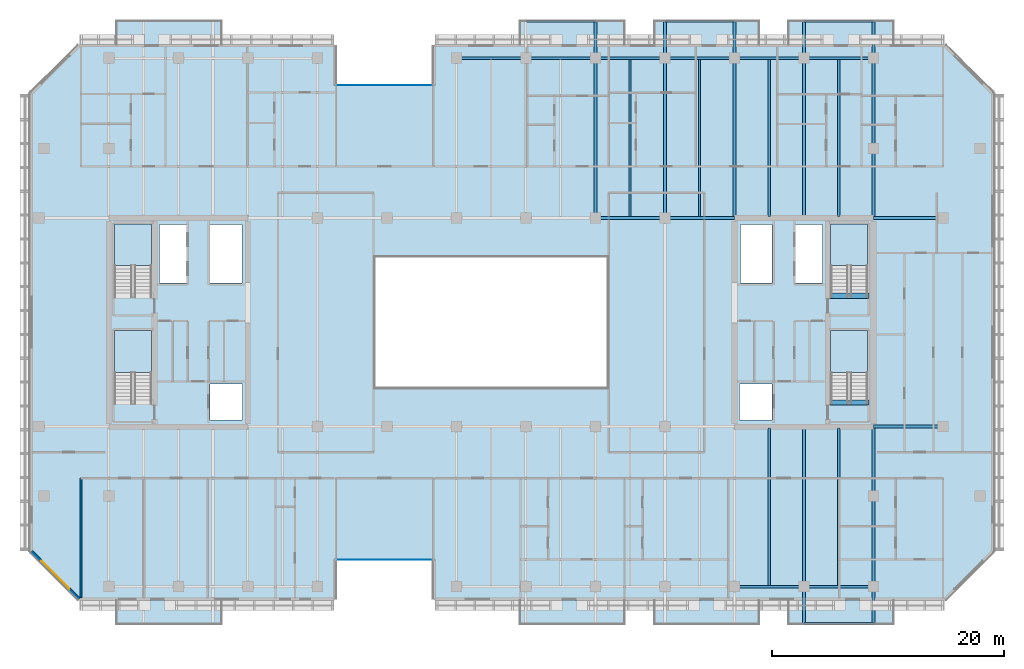
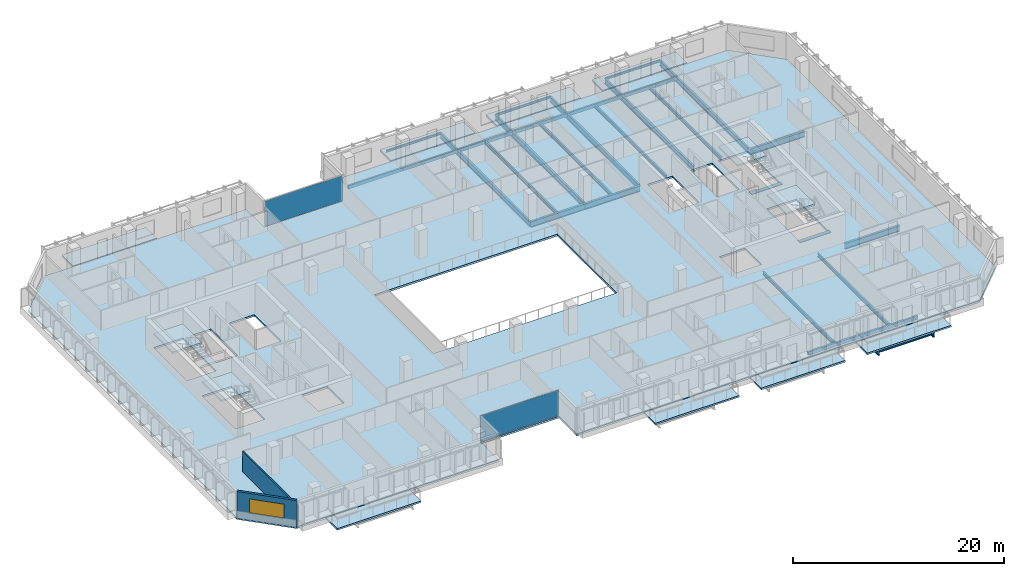
# One storey, part 9 of 23: 31 beams, 13 slabs, 2 plates, 2 walls, 1 window, 1 opening, 6 elements without a shape of their own.
"""IFC4 building model written with IfcOpenShell, lengths in metres."""

from ifc_helpers import new_model, si_unit, direction, frame, frame_2d, origin, origin_2d, place, context, subcontext, project, spatial, polyline, rectangle, hollow_rectangle, i_section, outline, extrude, material, layer, layer_set, material_profile, profile_set, type_object, element, fill, aggregate, save


model = new_model("IFC4")

# Units and contexts
model_context = context("Model", 3, precision=1e-05, world=origin(), true_north=direction((0.0, 1.0)))
body_context = subcontext(model_context, "Body", "Model", "MODEL_VIEW")
ifc_project = project(units=[si_unit("LENGTHUNIT", "METRE"), si_unit("AREAUNIT", "SQUARE_METRE"), si_unit("VOLUMEUNIT", "CUBIC_METRE"), si_unit("PLANEANGLEUNIT", "RADIAN"), si_unit("MASSUNIT", "GRAM", prefix="KILO")], contexts=[model_context])

# Site, building, storey
site_placement = place(None, origin())
site = spatial("IfcSite", under=ifc_project, at=site_placement, CompositionType="ELEMENT")
building_placement = place(site_placement, origin())
building = spatial("IfcBuilding", under=site, at=building_placement, Name="Tanjung Sevakor Pilgrim Tower", CompositionType="ELEMENT")
storey_placement = place(building_placement, frame((0.0, 0.0, 105.27001953125)))
storey = spatial("IfcBuildingStorey", under=building, at=storey_placement, Name="L29", CompositionType="ELEMENT", Elevation=105.27001953125)

# Beams
ifc_material_1 = material(Name="Steel S355J2", Category="steel")
ifc_material_profile_1 = material_profile(ifc_material_1, i_section(OverallWidth=0.25439453125, OverallDepth=0.6875, WebThickness=0.01318359375, FlangeThickness=0.02099609375, FilletRadius=0.01513671875, at=origin_2d()))
ifc_profile_set_1 = profile_set([ifc_material_profile_1], Name="Steel S355J2")
beam_type_1 = type_object("IfcBeamType", Name="BM-B-G2-UB_686x254x152", PredefinedType="BEAM", material=ifc_profile_set_1)
for number, where, z_axis, x_axis, name in (
    (1, (90.0, 24.60009765625, -0.563720703125), (1.0, 0.0, 0.0), (0.0, 1.0, 0.0), "L29 Primary Floor Girder MAIN Y246-09"),
    (2, (66.0, 42.60009765625, -0.563720703125), (1.0, 0.0, 0.0), (0.0, 1.0, 0.0), "L29 Primary Floor Girder MAIN Y426-07"),
    (3, (72.0, 42.60009765625, -0.563720703125), (1.0, 0.0, 0.0), (0.0, 1.0, 0.0), "L29 Primary Floor Girder MAIN Y426-08"),
    (4, (90.0, 42.60009765625, -0.563720703125), (1.0, 0.0, 0.0), (0.0, 1.0, 0.0), "L29 Primary Floor Girder MAIN Y426-09"),
):
    element("IfcBeam", number, at=place(storey_placement, frame(where, z_axis=z_axis, x_axis=x_axis)), inside=storey, type_object=beam_type_1, Name=name, PredefinedType="BEAM", context=body_context, shape_type="SweptSolid", body=[
        extrude(i_section(OverallWidth=0.25439453125, OverallDepth=0.6875, WebThickness=0.01318359375, FlangeThickness=0.02099609375, FilletRadius=0.01513671875, at=origin_2d()), origin(), (0.0, 0.0, 1.0), 6.0),
    ])
ifc_material_2 = material(Name="Steel S355J2", Category="steel")
ifc_material_profile_2 = material_profile(ifc_material_2, i_section(OverallWidth=0.230224609375, OverallDepth=0.6171875, WebThickness=0.01318359375, FlangeThickness=0.022216796875, FilletRadius=0.0126953125, at=origin_2d()))
ifc_profile_set_2 = profile_set([ifc_material_profile_2], Name="Steel S355J2")
beam_type_2 = type_object("IfcBeamType", Name="BM-B-G3-UB_610x229x140", PredefinedType="BEAM", material=ifc_profile_set_2)
for number, where, z_axis, x_axis, name in (
    (5, (66.0, 42.60009765625, -0.528564453125), (0.0, 1.0, 0.0), (-1.0, 0.0, 0.0), "L29 Balcony Cantilever Beam MAIN-N2-2"),
    (6, (72.0, 42.60009765625, -0.528564453125), (0.0, 1.0, 0.0), (-1.0, 0.0, 0.0), "L29 Balcony Cantilever Beam MAIN-N3-1"),
):
    element("IfcBeam", number, at=place(storey_placement, frame(where, z_axis=z_axis, x_axis=x_axis)), inside=storey, type_object=beam_type_2, Name=name, PredefinedType="BEAM", context=body_context, shape_type="SweptSolid", body=[
        extrude(i_section(OverallWidth=0.230224609375, OverallDepth=0.6171875, WebThickness=0.01318359375, FlangeThickness=0.022216796875, FilletRadius=0.0126953125, at=origin_2d()), origin(), (0.0, 0.0, 1.0), 16.97998046875),
    ])
beam_1_placement = place(storey_placement, frame((78.0, 42.727294921875, -0.528564453125), z_axis=(0.0, 1.0, 0.0), x_axis=(-1.0, 0.0, 0.0)))
element("IfcBeam", 7, at=beam_1_placement, inside=storey, type_object=beam_type_2, Name="L29 Balcony Cantilever Beam MAIN-N3-2", PredefinedType="BEAM", context=body_context, shape_type="SweptSolid", body=[
    extrude(i_section(OverallWidth=0.230224609375, OverallDepth=0.6171875, WebThickness=0.01318359375, FlangeThickness=0.022216796875, FilletRadius=0.0126953125, at=origin_2d()), origin(), (0.0, 0.0, 1.0), 16.852783203125),
])
beam_2_placement = place(storey_placement, frame((84.0, 24.47265625, -0.528564453125), z_axis=(0.0, -1.0, 0.0), x_axis=(1.0, 0.0, 0.0)))
element("IfcBeam", 8, at=beam_2_placement, inside=storey, type_object=beam_type_2, Name="L29 Balcony Cantilever Beam MAIN-S4-1", PredefinedType="BEAM", context=body_context, shape_type="SweptSolid", body=[
    extrude(i_section(OverallWidth=0.230224609375, OverallDepth=0.6171875, WebThickness=0.01318359375, FlangeThickness=0.022216796875, FilletRadius=0.0126953125, at=origin_2d()), origin(), (0.0, 0.0, 1.0), 16.8525390625),
])
beam_3_placement = place(storey_placement, frame((84.0, 42.727294921875, -0.528564453125), z_axis=(0.0, 1.0, 0.0), x_axis=(-1.0, 0.0, 0.0)))
element("IfcBeam", 9, at=beam_3_placement, inside=storey, type_object=beam_type_2, Name="L29 Balcony Cantilever Beam MAIN-N4-1", PredefinedType="BEAM", context=body_context, shape_type="SweptSolid", body=[
    extrude(i_section(OverallWidth=0.230224609375, OverallDepth=0.6171875, WebThickness=0.01318359375, FlangeThickness=0.022216796875, FilletRadius=0.0126953125, at=origin_2d()), origin(), (0.0, 0.0, 1.0), 16.852783203125),
])
beam_4_placement = place(storey_placement, frame((90.0, 24.47265625, -0.528564453125), z_axis=(0.0, -1.0, 0.0), x_axis=(1.0, 0.0, 0.0)))
element("IfcBeam", 10, at=beam_4_placement, inside=storey, type_object=beam_type_2, Name="L29 Balcony Cantilever Beam MAIN-S4-2", PredefinedType="BEAM", context=body_context, shape_type="SweptSolid", body=[
    extrude(i_section(OverallWidth=0.230224609375, OverallDepth=0.6171875, WebThickness=0.01318359375, FlangeThickness=0.022216796875, FilletRadius=0.0126953125, at=origin_2d()), origin(), (0.0, 0.0, 1.0), 16.8525390625),
])
beam_5_placement = place(storey_placement, frame((90.0, 42.727294921875, -0.528564453125), z_axis=(0.0, 1.0, 0.0), x_axis=(-1.0, 0.0, 0.0)))
element("IfcBeam", 11, at=beam_5_placement, inside=storey, type_object=beam_type_2, Name="L29 Balcony Cantilever Beam MAIN-N4-2", PredefinedType="BEAM", context=body_context, shape_type="SweptSolid", body=[
    extrude(i_section(OverallWidth=0.230224609375, OverallDepth=0.6171875, WebThickness=0.01318359375, FlangeThickness=0.022216796875, FilletRadius=0.0126953125, at=origin_2d()), origin(), (0.0, 0.0, 1.0), 16.852783203125),
])
ifc_material_3 = material(Name="Steel S355J2", Category="steel")
ifc_material_profile_3 = material_profile(ifc_material_3, i_section(OverallWidth=0.1787109375, OverallDepth=0.409423828125, WebThickness=0.0087890625, FlangeThickness=0.014404296875, FilletRadius=0.01025390625, at=origin_2d()))
ifc_profile_set_3 = profile_set([ifc_material_profile_3], Name="Steel S355J2")
beam_type_3 = type_object("IfcBeamType", Name="BM-B-J3-UB_406x178x67", PredefinedType="JOIST", material=ifc_profile_set_3)
for number, where, z_axis, x_axis, name in (
    (12, (69.0, 42.727294921875, -0.4248046875), (0.0, 1.0, 0.0), (-1.0, 0.0, 0.0), "L29 MAIN Joist 019"),
    (13, (75.0, 42.727294921875, -0.4248046875), (0.0, 1.0, 0.0), (-1.0, 0.0, 0.0), "L29 MAIN Joist 022"),
    (14, (81.0, 10.89990234375, -0.4248046875), (0.0, 1.0, 0.0), (-1.0, 0.0, 0.0), "L29 MAIN Joist 023"),
    (15, (81.0, 42.727294921875, -0.4248046875), (0.0, 1.0, 0.0), (-1.0, 0.0, 0.0), "L29 MAIN Joist 024"),
    (16, (87.0, 10.89990234375, -0.4248046875), (0.0, 1.0, 0.0), (-1.0, 0.0, 0.0), "L29 MAIN Joist 025"),
    (17, (87.0, 42.727294921875, -0.4248046875), (0.0, 1.0, 0.0), (-1.0, 0.0, 0.0), "L29 MAIN Joist 026"),
):
    element("IfcBeam", number, at=place(storey_placement, frame(where, z_axis=z_axis, x_axis=x_axis)), inside=storey, type_object=beam_type_3, Name=name, PredefinedType="JOIST", context=body_context, shape_type="SweptSolid", body=[
        extrude(i_section(OverallWidth=0.1787109375, OverallDepth=0.409423828125, WebThickness=0.0087890625, FlangeThickness=0.014404296875, FilletRadius=0.01025390625, at=origin_2d()), origin(), (0.0, 0.0, 1.0), 13.57275390625),
    ])
ifc_material_4 = material(Name="Steel S355J2", Category="steel")
ifc_material_profile_4 = material_profile(ifc_material_4, i_section(OverallWidth=0.146484375, OverallDepth=0.256103515625, WebThickness=0.00634765625, FlangeThickness=0.010986328125, FilletRadius=0.007568359375, at=origin_2d()))
ifc_profile_set_4 = profile_set([ifc_material_profile_4], Name="Steel S355J2")
beam_type_4 = type_object("IfcBeamType", Name="BM-B-J6-UB_254x146x37", PredefinedType="JOIST", material=ifc_profile_set_4)
for number, where, z_axis, x_axis, name in (
    (18, (60.0, 59.580078125, -0.328125), (1.0, 0.0, 0.0), (0.0, 1.0, 0.0), "L29 Balcony Rim Tie MAIN-N2"),
    (19, (72.0, 59.580078125, -0.328125), (1.0, 0.0, 0.0), (0.0, 1.0, 0.0), "L29 Balcony Rim Tie MAIN-N3"),
    (20, (84.0, 7.6201171875, -0.328125), (1.0, 0.0, 0.0), (0.0, 1.0, 0.0), "L29 Balcony Rim Tie MAIN-S4"),
    (21, (84.0, 59.580078125, -0.328125), (1.0, 0.0, 0.0), (0.0, 1.0, 0.0), "L29 Balcony Rim Tie MAIN-N4"),
):
    element("IfcBeam", number, at=place(storey_placement, frame(where, z_axis=z_axis, x_axis=x_axis)), inside=storey, type_object=beam_type_4, Name=name, PredefinedType="JOIST", context=body_context, shape_type="SweptSolid", body=[
        extrude(i_section(OverallWidth=0.146484375, OverallDepth=0.256103515625, WebThickness=0.00634765625, FlangeThickness=0.010986328125, FilletRadius=0.007568359375, at=origin_2d()), origin(), (0.0, 0.0, 1.0), 6.0),
    ])
ifc_material_5 = material(Name="Concrete C60/75", Category="concrete")
ifc_material_profile_5 = material_profile(ifc_material_5, rectangle(XDim=0.449951171875, YDim=0.699951171875, at=origin_2d()))
ifc_profile_set_5 = profile_set([ifc_material_profile_5], Name="Concrete C60/75")
beam_type_5 = type_object("IfcBeamType", Name="BM-B-LN3-RC-BM_450x700", PredefinedType="LINTEL", material=ifc_profile_set_5)
for number, where, z_axis, x_axis, name in (
    (22, (86.199951171875, 26.699951171875, -0.35009765625), (1.0, 0.0, 0.0), (0.0, 1.0, 0.0), "L29 TS-E1 Stair Threshold Beam"),
    (23, (86.199951171875, 35.89990234375, -0.35009765625), (1.0, 0.0, 0.0), (0.0, 1.0, 0.0), "L29 TS-E2 Stair Threshold Beam"),
):
    element("IfcBeam", number, at=place(storey_placement, frame(where, z_axis=z_axis, x_axis=x_axis)), inside=storey, type_object=beam_type_5, Name=name, PredefinedType="LINTEL", context=body_context, shape_type="SweptSolid", body=[
        extrude(rectangle(XDim=0.449951171875, YDim=0.699951171875, at=origin_2d()), origin(), (0.0, 0.0, 1.0), 3.400146484375),
    ])
ifc_material_6 = material(Name="Steel S355J2", Category="steel")
ifc_material_profile_6 = material_profile(ifc_material_6, hollow_rectangle(XDim=0.199951171875, YDim=0.39990234375, WallThickness=0.01611328125, at=origin_2d()))
ifc_profile_set_6 = profile_set([ifc_material_profile_6], Name="Steel S355J2")
beam_type_6 = type_object("IfcBeamType", Name="BM-B-SP2-RHS_400x200x16", PredefinedType="SPANDREL", material=ifc_profile_set_6)
for number, where, z_axis, x_axis, name in (
    (24, (54.0, 56.39990234375, -0.419921875), (1.0, 0.0, 0.0), (0.0, 1.0, 0.0), "L29 Spandrel MAIN N-08"),
    (25, (60.0, 56.39990234375, -0.419921875), (1.0, 0.0, 0.0), (0.0, 1.0, 0.0), "L29 Spandrel MAIN N-10"),
    (26, (66.0, 56.39990234375, -0.419921875), (1.0, 0.0, 0.0), (0.0, 1.0, 0.0), "L29 Spandrel MAIN N-12"),
    (27, (72.0, 56.39990234375, -0.419921875), (1.0, 0.0, 0.0), (0.0, 1.0, 0.0), "L29 Spandrel MAIN N-14"),
    (28, (78.0, 10.800048828125, -0.419921875), (1.0, 0.0, 0.0), (0.0, 1.0, 0.0), "L29 Spandrel MAIN S-15"),
    (29, (78.0, 56.39990234375, -0.419921875), (1.0, 0.0, 0.0), (0.0, 1.0, 0.0), "L29 Spandrel MAIN N-16"),
    (30, (84.0, 10.800048828125, -0.419921875), (1.0, 0.0, 0.0), (0.0, 1.0, 0.0), "L29 Spandrel MAIN S-17"),
    (31, (84.0, 56.39990234375, -0.419921875), (1.0, 0.0, 0.0), (0.0, 1.0, 0.0), "L29 Spandrel MAIN N-18"),
):
    element("IfcBeam", number, at=place(storey_placement, frame(where, z_axis=z_axis, x_axis=x_axis)), inside=storey, type_object=beam_type_6, Name=name, PredefinedType="SPANDREL", context=body_context, shape_type="SweptSolid", body=[
        extrude(hollow_rectangle(XDim=0.199951171875, YDim=0.39990234375, WallThickness=0.01611328125, at=origin_2d()), origin(), (0.0, 0.0, 1.0), 6.0),
    ])

# Slabs
ifc_material_7 = material(Name="Concrete C40/50", Category="concrete")
ifc_layer_1 = layer(ifc_material_7, 0.199951171875)
ifc_layer_set_1 = layer_set([ifc_layer_1], Name="SL-BAL-200")
slab_type_1 = type_object("IfcSlabType", Name="SL-BAL-200", PredefinedType="FLOOR", material=ifc_layer_set_1)
slab_1_placement = place(storey_placement, frame((0.0, 0.0, -0.199951171875)))
element("IfcSlab", 32, at=slab_1_placement, inside=storey, type_object=slab_type_1, Name="L29 Planted Loggia Balcony MAIN-S1", PredefinedType="FLOOR", context=body_context, shape_type="SweptSolid", body=[
    extrude(outline(polyline([(24.60009765625, 7.5), (33.800048828125, 7.5), (33.800048828125, 9.60009765625), (24.60009765625, 9.60009765625), (24.60009765625, 7.5)])), origin(), (0.0, 0.0, 1.0), 0.199951171875),
])
slab_2_placement = place(storey_placement, frame((0.0, 0.0, -0.199951171875)))
element("IfcSlab", 33, at=slab_2_placement, inside=storey, type_object=slab_type_1, Name="L29 Planted Loggia Balcony MAIN-N1", PredefinedType="FLOOR", context=body_context, shape_type="SweptSolid", body=[
    extrude(outline(polyline([(24.60009765625, 57.60009765625), (33.800048828125, 57.60009765625), (33.800048828125, 59.699951171875), (24.60009765625, 59.699951171875), (24.60009765625, 57.60009765625)])), origin(), (0.0, 0.0, 1.0), 0.199951171875),
])
slab_3_placement = place(storey_placement, frame((0.0, 0.0, -0.199951171875)))
element("IfcSlab", 34, at=slab_3_placement, inside=storey, type_object=slab_type_1, Name="L29 Planted Loggia Balcony MAIN-S2", PredefinedType="FLOOR", context=body_context, shape_type="SweptSolid", body=[
    extrude(outline(polyline([(59.39990234375, 7.5), (68.60009765625, 7.5), (68.60009765625, 9.60009765625), (59.39990234375, 9.60009765625), (59.39990234375, 7.5)])), origin(), (0.0, 0.0, 1.0), 0.199951171875),
])
slab_4_placement = place(storey_placement, frame((0.0, 0.0, -0.199951171875)))
element("IfcSlab", 35, at=slab_4_placement, inside=storey, type_object=slab_type_1, Name="L29 Planted Loggia Balcony MAIN-N2", PredefinedType="FLOOR", context=body_context, shape_type="SweptSolid", body=[
    extrude(outline(polyline([(59.39990234375, 57.60009765625), (68.60009765625, 57.60009765625), (68.60009765625, 59.699951171875), (59.39990234375, 59.699951171875), (59.39990234375, 57.60009765625)])), origin(), (0.0, 0.0, 1.0), 0.199951171875),
])
slab_5_placement = place(storey_placement, frame((0.0, 0.0, -0.199951171875)))
element("IfcSlab", 36, at=slab_5_placement, inside=storey, type_object=slab_type_1, Name="L29 Planted Loggia Balcony MAIN-S3", PredefinedType="FLOOR", context=body_context, shape_type="SweptSolid", body=[
    extrude(outline(polyline([(71.0, 7.5), (80.199951171875, 7.5), (80.199951171875, 9.60009765625), (71.0, 9.60009765625), (71.0, 7.5)])), origin(), (0.0, 0.0, 1.0), 0.199951171875),
])
slab_6_placement = place(storey_placement, frame((0.0, 0.0, -0.199951171875)))
element("IfcSlab", 37, at=slab_6_placement, inside=storey, type_object=slab_type_1, Name="L29 Planted Loggia Balcony MAIN-N3", PredefinedType="FLOOR", context=body_context, shape_type="SweptSolid", body=[
    extrude(outline(polyline([(71.0, 57.60009765625), (80.199951171875, 57.60009765625), (80.199951171875, 59.699951171875), (71.0, 59.699951171875), (71.0, 57.60009765625)])), origin(), (0.0, 0.0, 1.0), 0.199951171875),
])
slab_7_placement = place(storey_placement, frame((0.0, 0.0, -0.199951171875)))
element("IfcSlab", 38, at=slab_7_placement, inside=storey, type_object=slab_type_1, Name="L29 Planted Loggia Balcony MAIN-S4", PredefinedType="FLOOR", context=body_context, shape_type="SweptSolid", body=[
    extrude(outline(polyline([(82.60009765625, 7.5), (91.800048828125, 7.5), (91.800048828125, 9.60009765625), (82.60009765625, 9.60009765625), (82.60009765625, 7.5)])), origin(), (0.0, 0.0, 1.0), 0.199951171875),
])
slab_8_placement = place(storey_placement, frame((0.0, 0.0, -0.199951171875)))
element("IfcSlab", 39, at=slab_8_placement, inside=storey, type_object=slab_type_1, Name="L29 Planted Loggia Balcony MAIN-N4", PredefinedType="FLOOR", context=body_context, shape_type="SweptSolid", body=[
    extrude(outline(polyline([(82.60009765625, 57.60009765625), (91.800048828125, 57.60009765625), (91.800048828125, 59.699951171875), (82.60009765625, 59.699951171875), (82.60009765625, 57.60009765625)])), origin(), (0.0, 0.0, 1.0), 0.199951171875),
])

# Stair, slab
ifc_material_8 = material(Name="Concrete C40/50", Category="concrete")
stair_type = type_object("IfcStairType", Name="STAIR-ST-CR150", PredefinedType="HALF_TURN_STAIR", material=ifc_material_8)
stair_1_placement = place(storey_placement, origin())
stair_1 = element("IfcStair", 40, at=stair_1_placement, inside=storey, type_object=stair_type, Name="L29 West Core Exit Stair 1", PredefinedType="HALF_TURN_STAIR")
ifc_material_9 = material(Name="Concrete C40/50", Category="concrete")
ifc_layer_2 = layer(ifc_material_9, 0.199951171875)
ifc_layer_set_2 = layer_set([ifc_layer_2], Name="SL-LAND-200")
slab_type_2 = type_object("IfcSlabType", Name="SL-LAND-200", PredefinedType="LANDING", material=ifc_layer_set_2)
slab_9_placement = place(storey_placement, frame((0.0, 0.0, 1.449951171875)))
slab_9 = element("IfcSlab", 41, at=slab_9_placement, type_object=slab_type_2, Name="TS-W1 landing 1", PredefinedType="LANDING", context=body_context, shape_type="SweptSolid", body=[
    extrude(outline(polyline([(27.699951171875, 29.300048828125), (27.699951171875, 32.89990234375), (24.5, 32.89990234375), (24.5, 29.300048828125), (27.699951171875, 29.300048828125)])), origin(), (0.0, 0.0, 1.0), 0.199951171875),
])
aggregate(stair_1, [slab_9])

stair_2_placement = place(storey_placement, origin())
stair_2 = element("IfcStair", 42, at=stair_2_placement, inside=storey, type_object=stair_type, Name="L29 West Core Exit Stair 2", PredefinedType="HALF_TURN_STAIR")
slab_10_placement = place(storey_placement, frame((0.0, 0.0, 1.449951171875)))
slab_10 = element("IfcSlab", 43, at=slab_10_placement, type_object=slab_type_2, Name="TS-W2 landing 1", PredefinedType="LANDING", context=body_context, shape_type="SweptSolid", body=[
    extrude(outline(polyline([(27.699951171875, 38.5), (27.699951171875, 42.10009765625), (24.5, 42.10009765625), (24.5, 38.5), (27.699951171875, 38.5)])), origin(), (0.0, 0.0, 1.0), 0.199951171875),
])
aggregate(stair_2, [slab_10])

stair_3_placement = place(storey_placement, origin())
stair_3 = element("IfcStair", 44, at=stair_3_placement, inside=storey, type_object=stair_type, Name="L29 East Core Exit Stair 1", PredefinedType="HALF_TURN_STAIR")
slab_11_placement = place(storey_placement, frame((0.0, 0.0, 1.449951171875)))
slab_11 = element("IfcSlab", 45, at=slab_11_placement, type_object=slab_type_2, Name="TS-E1 landing 1", PredefinedType="LANDING", context=body_context, shape_type="SweptSolid", body=[
    extrude(outline(polyline([(89.5, 29.300048828125), (89.5, 32.89990234375), (86.300048828125, 32.89990234375), (86.300048828125, 29.300048828125), (89.5, 29.300048828125)])), origin(), (0.0, 0.0, 1.0), 0.199951171875),
])
aggregate(stair_3, [slab_11])

stair_4_placement = place(storey_placement, origin())
stair_4 = element("IfcStair", 46, at=stair_4_placement, inside=storey, type_object=stair_type, Name="L29 East Core Exit Stair 2", PredefinedType="HALF_TURN_STAIR")
slab_12_placement = place(storey_placement, frame((0.0, 0.0, 1.449951171875)))
slab_12 = element("IfcSlab", 47, at=slab_12_placement, type_object=slab_type_2, Name="TS-E2 landing 1", PredefinedType="LANDING", context=body_context, shape_type="SweptSolid", body=[
    extrude(outline(polyline([(89.5, 38.5), (89.5, 42.10009765625), (86.300048828125, 42.10009765625), (86.300048828125, 38.5), (89.5, 38.5)])), origin(), (0.0, 0.0, 1.0), 0.199951171875),
])
aggregate(stair_4, [slab_12])

# Slab
ifc_material_10 = material(Name="Concrete C40/50", Category="concrete")
ifc_layer_3 = layer(ifc_material_10, 0.219970703125)
ifc_layer_set_3 = layer_set([ifc_layer_3], Name="SL-TWR-220")
slab_type_3 = type_object("IfcSlabType", Name="SL-TWR-220", PredefinedType="FLOOR", material=ifc_layer_set_3)
slab_13_placement = place(storey_placement, frame((0.0, 0.0, -0.219970703125)))
element("IfcSlab", 48, at=slab_13_placement, inside=storey, type_object=slab_type_3, Name="L29 Floor Slab MAIN", PredefinedType="FLOOR", context=body_context, shape_type="SweptSolid", body=[
    extrude(outline(polyline([(21.447021484375, 9.679931640625), (43.52001953125, 9.679931640625), (43.52001953125, 13.080078125), (52.080078125, 13.080078125), (52.080078125, 9.679931640625), (96.153076171875, 9.679931640625), (100.320068359375, 13.846923828125), (100.320068359375, 53.35302734375), (96.153076171875, 57.52001953125), (52.080078125, 57.52001953125), (52.080078125, 54.1201171875), (43.52001953125, 54.1201171875), (43.52001953125, 57.52001953125), (21.447021484375, 57.52001953125), (17.280029296875, 53.35302734375), (17.280029296875, 13.846923828125), (21.447021484375, 9.679931640625)]), holes=[polyline([(27.699951171875, 26.60009765625), (27.699951171875, 32.89990234375), (24.5, 32.89990234375), (24.5, 26.60009765625), (27.699951171875, 26.60009765625)]), polyline([(27.699951171875, 35.800048828125), (27.699951171875, 42.10009765625), (24.5, 42.10009765625), (24.5, 35.800048828125), (27.699951171875, 35.800048828125)]), polyline([(89.5, 26.60009765625), (89.5, 32.89990234375), (86.300048828125, 32.89990234375), (86.300048828125, 26.60009765625), (89.5, 26.60009765625)]), polyline([(89.5, 35.800048828125), (89.5, 42.10009765625), (86.300048828125, 42.10009765625), (86.300048828125, 35.800048828125), (89.5, 35.800048828125)]), polyline([(32.75, 25.199951171875), (35.550048828125, 25.199951171875), (35.550048828125, 28.300048828125), (32.75, 28.300048828125), (32.75, 25.199951171875)]), polyline([(28.39990234375, 37.0), (30.75, 37.0), (30.75, 42.050048828125), (28.39990234375, 42.050048828125), (28.39990234375, 37.0)]), polyline([(32.75, 37.0), (35.5, 37.0), (35.5, 42.050048828125), (32.75, 42.050048828125), (32.75, 37.0)]), polyline([(78.449951171875, 25.199951171875), (81.25, 25.199951171875), (81.25, 28.300048828125), (78.449951171875, 28.300048828125), (78.449951171875, 25.199951171875)]), polyline([(83.25, 37.0), (85.60009765625, 37.0), (85.60009765625, 42.050048828125), (83.25, 42.050048828125), (83.25, 37.0)]), polyline([(78.5, 37.0), (81.25, 37.0), (81.25, 42.050048828125), (78.5, 42.050048828125), (78.5, 37.0)]), polyline([(47.0, 28.0), (67.0, 28.0), (67.0, 39.199951171875), (47.0, 39.199951171875), (47.0, 28.0)])]), origin(), (0.0, 0.0, 1.0), 0.219970703125),
])

# Curtain wall, plate
ifc_material_11 = material(Name="Aluminium 6063-T6 and Low-E Glass", Category="aluminium")
ifc_layer_4 = layer(ifc_material_11, 0.179931640625)
ifc_layer_set_4 = layer_set([ifc_layer_4], Name="CW-SYS-CLEFT")
curtain_wall_type = type_object("IfcCurtainWallType", Name="CW-SYS-CLEFT", PredefinedType="NOTDEFINED", material=ifc_layer_set_4)
curtain_wall_1_placement = place(storey_placement, origin())
curtain_wall_1 = element("IfcCurtainWall", 49, at=curtain_wall_1_placement, inside=storey, type_object=curtain_wall_type, Name="L29 Curtain Wall CW-CLF-L29-2", PredefinedType="NOTDEFINED")
ifc_material_12 = material(Name="Laminated Low-E Double Glazing", Category="glass")
ifc_layer_5 = layer(ifc_material_12, 0.028076171875)
ifc_layer_set_5 = layer_set([ifc_layer_5], Name="TYPE-CWP-GLZ1")
plate_type = type_object("IfcPlateType", Name="TYPE-CWP-GLZ1", PredefinedType="CURTAIN_PANEL", material=ifc_layer_set_5)
plate_1_placement = place(storey_placement, frame((47.800048828125, 13.125, 0.06494140625), z_axis=(0.0, 0.0, 1.0), x_axis=(1.0, 0.0, 0.0)))
plate_1 = element("IfcPlate", 50, at=plate_1_placement, type_object=plate_type, Name="CW-CLF panel 1.1", PredefinedType="CURTAIN_PANEL", context=body_context, shape_type="SweptSolid", body=[
    extrude(rectangle(XDim=8.5, YDim=0.028076171875, at=origin_2d()), origin(), (0.0, 0.0, 1.0), 2.949951171875),
])
aggregate(curtain_wall_1, [plate_1])

curtain_wall_2_placement = place(storey_placement, origin())
curtain_wall_2 = element("IfcCurtainWall", 51, at=curtain_wall_2_placement, inside=storey, type_object=curtain_wall_type, Name="L29 Curtain Wall CW-CLF-L29-10", PredefinedType="NOTDEFINED")
plate_2_placement = place(storey_placement, frame((47.800048828125, 54.074951171875, 0.06494140625), z_axis=(0.0, 0.0, 1.0), x_axis=(-1.0, 0.0, 0.0)))
plate_2 = element("IfcPlate", 52, at=plate_2_placement, type_object=plate_type, Name="CW-CLF panel 1.1", PredefinedType="CURTAIN_PANEL", context=body_context, shape_type="SweptSolid", body=[
    extrude(rectangle(XDim=8.5, YDim=0.028076171875, at=origin_2d()), origin(), (0.0, 0.0, 1.0), 2.949951171875),
])
aggregate(curtain_wall_2, [plate_2])

# Wall
ifc_material_13 = material(Name="Concrete C40/50", Category="concrete")
ifc_layer_6 = layer(ifc_material_13, 0.14990234375)
ifc_layer_set_6 = layer_set([ifc_layer_6], Name="WT-COMP-150")
wall_type_1 = type_object("IfcWallType", Name="WT-COMP-150", PredefinedType="SOLIDWALL", material=ifc_layer_set_6)
wall_1_placement = place(storey_placement, frame((21.60009765625, 9.85009765625, 0.0), z_axis=(0.0, 0.0, 1.0), x_axis=(0.0, 1.0, 0.0)))
element("IfcWall", 53, at=wall_1_placement, inside=storey, type_object=wall_type_1, Name="L29 Partition IW-L29-051", PredefinedType="SOLIDWALL", context=body_context, shape_type="SweptSolid", body=[
    extrude(rectangle(XDim=10.2998046875, YDim=0.14990234375, at=frame_2d((5.14990234375, 0.0))), origin(), (0.0, 0.0, 1.0), 2.35009765625),
])

# Wall, opening, window
ifc_material_14 = material(Name="Precast concrete C45/55", Category="concrete")
ifc_layer_7 = layer(ifc_material_14, 0.25)
ifc_layer_set_7 = layer_set([ifc_layer_7], Name="WT-EW-STN3")
wall_type_2 = type_object("IfcWallType", Name="WT-EW-STN3", PredefinedType="SOLIDWALL", material=ifc_layer_set_7)
wall_2_placement = place(storey_placement, frame((17.324951171875, 13.851806640625, 0.0), z_axis=(0.0, 0.0, 1.0), x_axis=(0.707127696864, -0.70708586489, 0.0)))
wall_2 = element("IfcWall", 54, at=wall_2_placement, inside=storey, type_object=wall_type_2, Name="L29 MAIN Sculpted Corner Wall 15", PredefinedType="SOLIDWALL", context=body_context, shape_type="SweptSolid", body=[
    extrude(rectangle(XDim=5.836181640625, YDim=0.25, at=frame_2d((2.91796875, 0.0))), origin(), (0.0, 0.0, 1.0), 3.080078125),
])
opening_placement = place(wall_2_placement, frame((1.218017578125, 0.0, 0.780029296875)))
opening = element("IfcOpeningElement", 55, at=opening_placement, cuts=wall_2, Name="Opening WN-CHM-1660", PredefinedType="OPENING", context=body_context, shape_type="SweptSolid", body=[
    extrude(rectangle(XDim=3.39990234375, YDim=1.659912109375, at=frame_2d((1.699951171875, 0.830078125))), frame((0.0, 0.135009765625, 0.0), z_axis=(0.0, -1.0, 0.0), x_axis=(1.0, 0.0, 0.0)), (0.0, 0.0, 1.0), 0.27001953125),
])
ifc_material_15 = material(Name="Thermally Broken Aluminium and Low-E Glass", Category="aluminium")
window_type = type_object("IfcWindowType", Name="WTYP-WN-CHM-1660", PartitioningType="DOUBLE_PANEL_VERTICAL", PredefinedType="WINDOW", material=ifc_material_15)
window_placement = place(opening_placement, origin())
window = element("IfcWindow", 56, at=window_placement, inside=storey, type_object=window_type, Name="L29 Facade Window 01", OverallHeight=1.659912109375, OverallWidth=3.39990234375, PartitioningType="SINGLE_PANEL", PredefinedType="WINDOW", context=body_context, shape_type="SweptSolid", body=[
    extrude(rectangle(XDim=3.39990234375, YDim=1.659912109375, at=frame_2d((1.699951171875, 0.830078125))), frame((0.0, 0.030029296875, 0.0), z_axis=(0.0, -1.0, 0.0), x_axis=(1.0, 0.0, 0.0)), (0.0, 0.0, 1.0), 0.06005859375),
])
fill(opening, window)

save(model, "model.ifc")
